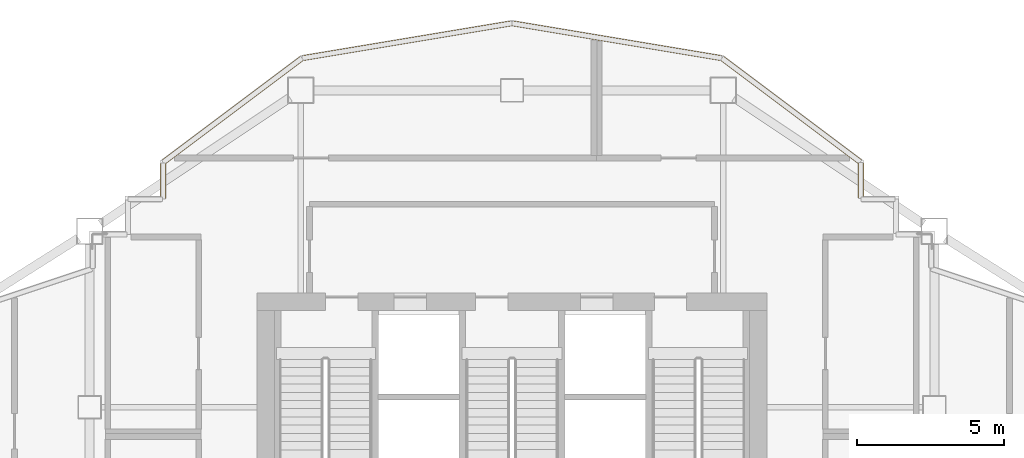
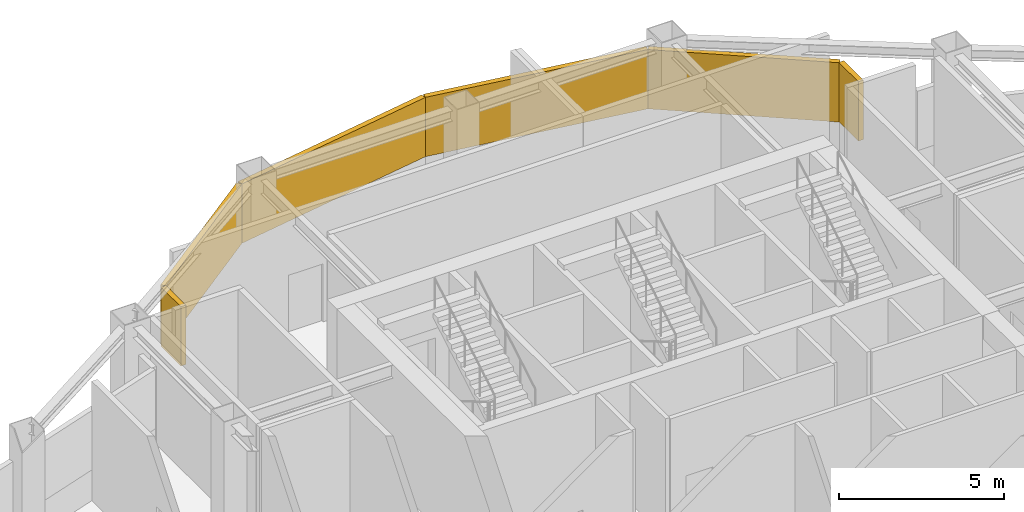
# One storey, part 9 of 9: 6 shading devices.
"""IFC4 building model written with IfcOpenShell, lengths in metres."""

from ifc_helpers import new_model, si_unit, direction, frame, origin, origin_2d, place, context, subcontext, project, spatial, rectangle, extrude, material, type_object, element, save


model = new_model("IFC4")

# Units and contexts
model_context = context("Model", 3, precision=1e-05, world=origin(), true_north=direction((0.0, 1.0)))
body_context = subcontext(model_context, "Body", "Model", "MODEL_VIEW")
ifc_project = project(units=[si_unit("LENGTHUNIT", "METRE"), si_unit("AREAUNIT", "SQUARE_METRE"), si_unit("VOLUMEUNIT", "CUBIC_METRE"), si_unit("PLANEANGLEUNIT", "RADIAN"), si_unit("MASSUNIT", "GRAM", prefix="KILO")], contexts=[model_context])

# Site, building, storey
site_placement = place(None, origin())
site = spatial("IfcSite", under=ifc_project, at=site_placement, CompositionType="ELEMENT")
building_placement = place(site_placement, origin())
building = spatial("IfcBuilding", under=site, at=building_placement, Name="Haolan Belvedere Tower", CompositionType="ELEMENT")
storey_placement = place(building_placement, frame((0.0, 0.0, 207.0)))
storey = spatial("IfcBuildingStorey", under=building, at=storey_placement, Name="L52", CompositionType="ELEMENT", Elevation=207.0)

# Shading devices
ifc_material = material(Name="Anodised champagne-silver aluminium 6063-T6", Category="aluminium")
shading_device_type = type_object("IfcShadingDeviceType", Name="SHD-LOUV-180", PredefinedType="JALOUSIE", material=ifc_material)
shading_device_1_placement = place(storey_placement, frame((50.2900390625, 47.33251953125, 1.14990234375), z_axis=(0.0, 0.0, 1.0), x_axis=(0.0, 1.0, 0.0)))
element("IfcShadingDevice", 1, at=shading_device_1_placement, inside=storey, type_object=shading_device_type, Name="L52 refuge storm-proof louvre bank 19.1", PredefinedType="JALOUSIE", context=body_context, shape_type="SweptSolid", body=[
    extrude(rectangle(XDim=1.18505859375, YDim=0.179931640625, at=origin_2d()), origin(), (0.0, 0.0, 1.0), 2.199951171875),
])
shading_device_2_placement = place(storey_placement, frame((47.916748046875, 49.724853515625, 1.14990234375), z_axis=(0.0, 0.0, 1.0), x_axis=(-0.799998928149, 0.600001429133, 0.0)))
element("IfcShadingDevice", 2, at=shading_device_2_placement, inside=storey, type_object=shading_device_type, Name="L52 refuge storm-proof louvre bank 20.1", PredefinedType="JALOUSIE", context=body_context, shape_type="SweptSolid", body=[
    extrude(rectangle(XDim=5.863037109375, YDim=0.179931640625, at=origin_2d()), origin(), (0.0, 0.0, 1.0), 2.199951171875),
])
for number, where, z_axis, x_axis, name in (
    (3, (41.977783203125, 52.09228515625, 1.14990234375), (0.0, 0.0, 1.0), (-0.986394848329, 0.164393440227, 0.0), "L52 refuge storm-proof louvre bank 21.1"),
    (4, (34.822265625, 52.09228515625, 1.14990234375), (0.0, 0.0, 1.0), (-0.986394848329, -0.164393440227, 0.0), "L52 refuge storm-proof louvre bank 22.1"),
):
    element("IfcShadingDevice", number, at=place(storey_placement, frame(where, z_axis=z_axis, x_axis=x_axis)), inside=storey, type_object=shading_device_type, Name=name, PredefinedType="JALOUSIE", context=body_context, shape_type="SweptSolid", body=[
        extrude(rectangle(XDim=7.214111328125, YDim=0.179931640625, at=origin_2d()), origin(), (0.0, 0.0, 1.0), 2.199951171875),
    ])
shading_device_3_placement = place(storey_placement, frame((28.877197265625, 49.720458984375, 1.14990234375), z_axis=(0.0, 0.0, 1.0), x_axis=(-0.799998928149, -0.600001429133, 0.0)))
element("IfcShadingDevice", 5, at=shading_device_3_placement, inside=storey, type_object=shading_device_type, Name="L52 refuge storm-proof louvre bank 23.1", PredefinedType="JALOUSIE", context=body_context, shape_type="SweptSolid", body=[
    extrude(rectangle(XDim=5.878173828125, YDim=0.179931640625, at=origin_2d()), origin(), (0.0, 0.0, 1.0), 2.199951171875),
])
shading_device_4_placement = place(storey_placement, frame((26.510009765625, 47.31005859375, 1.14990234375), z_axis=(0.0, 0.0, 1.0), x_axis=(0.0, -1.0, 0.0)))
element("IfcShadingDevice", 6, at=shading_device_4_placement, inside=storey, type_object=shading_device_type, Name="L52 refuge storm-proof louvre bank 24.1", PredefinedType="JALOUSIE", context=body_context, shape_type="SweptSolid", body=[
    extrude(rectangle(XDim=1.199951171875, YDim=0.179931640625, at=origin_2d()), origin(), (0.0, 0.0, 1.0), 2.199951171875),
])

save(model, "model.ifc")
